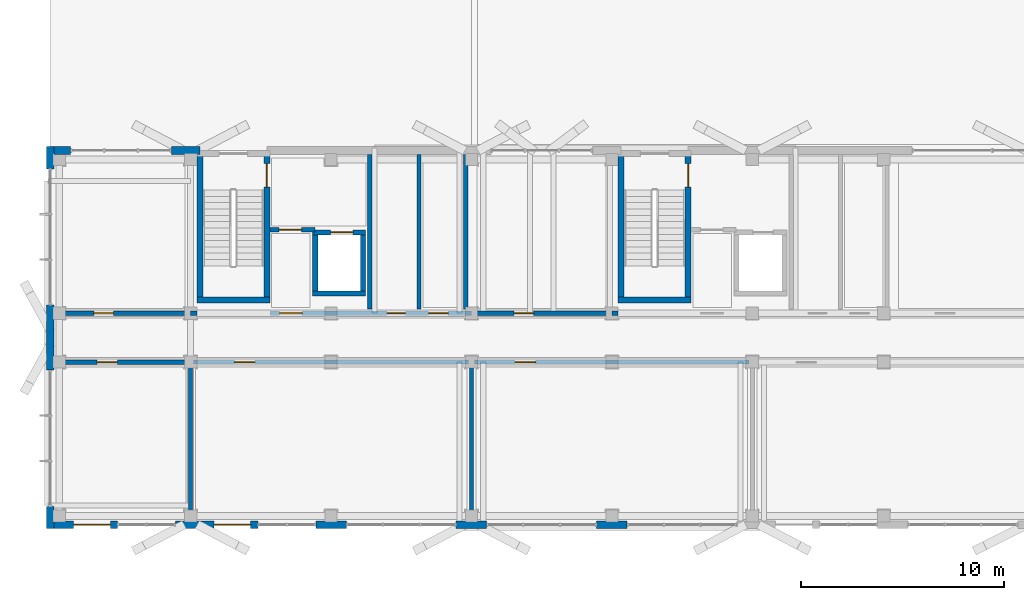
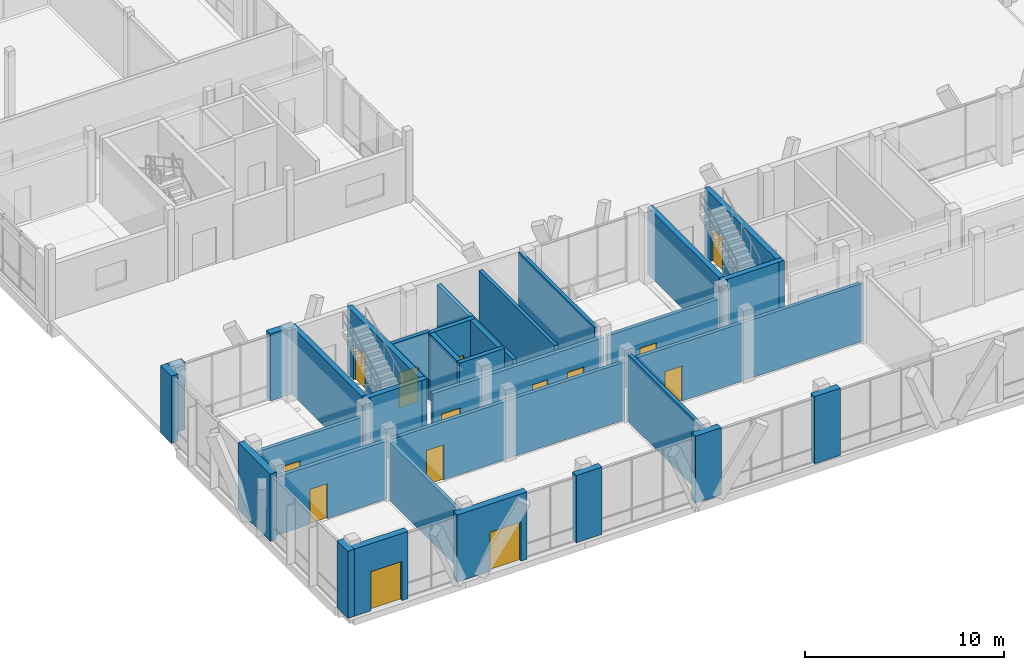
# One storey, part 190 of 233: 34 walls, 14 doors, 14 openings.
"""IFC4 building model written with IfcOpenShell, lengths in metres."""

import ifcopenshell
import ifcopenshell.guid

model = None  # the IFC model being written
_history = None  # IfcOwnerHistory: only IFC2X3 demands one
_inside = {}  # id of a spatial element -> (the spatial element, [elements in it])
_under = {}  # id of a project, library or spatial element -> (it, [spatial elements below it])
_declared = {}  # id of a project -> (the project, [libraries it declares])
_typed = {}  # id of a type object -> (the type object, [elements of that type])
_made_of = {}  # id of a material, layer set ... -> (it, [elements and type objects made of it])


def new_model(schema):
    """Start an empty IFC model of exactly this schema.

    Asked for "IFC4X3", IfcOpenShell would pick the latest addendum, in which some entities
    have other attributes; the version numbers below select the first issue.
    IFC2X3 requires an IfcOwnerHistory on every rooted entity: one is made here for all.
    """
    global model, _history
    if schema == "IFC4X3":
        model = ifcopenshell.file(schema_version=(4, 3, 0, 0))
    else:
        model = ifcopenshell.file(schema=schema)
    _inside.clear()
    _under.clear()
    _declared.clear()
    _typed.clear()
    _made_of.clear()
    _history = None
    if model.schema == "IFC2X3":
        org = make("IfcOrganization", Name="unknown")
        user = make(
            "IfcPersonAndOrganization",
            ThePerson=make("IfcPerson", FamilyName="unknown"),
            TheOrganization=org,
        )
        app = make(
            "IfcApplication",
            ApplicationDeveloper=org,
            Version="unknown",
            ApplicationFullName="unknown",
            ApplicationIdentifier="unknown",
        )
        _history = make(
            "IfcOwnerHistory",
            OwningUser=user,
            OwningApplication=app,
            ChangeAction="ADDED",
            CreationDate=0,
        )
    return model


def make(cls, **values):
    """One entity of the class cls with the attributes given. An attribute that is None is left unset."""
    return model.create_entity(
        cls, **{name: value for name, value in values.items() if value is not None}
    )


def rooted(cls, **values):
    """An entity with a GlobalId (a new one), such as an element, a storey or a relation."""
    return make(cls, GlobalId=ifcopenshell.guid.new(), OwnerHistory=_history, **values)


def si_unit(unit_type, name, prefix=None):
    """IfcSIUnit, for example si_unit("LENGTHUNIT", "METRE", prefix="MILLI")."""
    return make("IfcSIUnit", UnitType=unit_type, Prefix=prefix, Name=name)


def assignment(units):
    """IfcUnitAssignment: the units of a project."""
    return None if units is None else make("IfcUnitAssignment", Units=units)


def point(xyz):
    """IfcCartesianPoint."""
    return None if xyz is None else make("IfcCartesianPoint", Coordinates=xyz)


def direction(xyz):
    """IfcDirection."""
    return None if xyz is None else make("IfcDirection", DirectionRatios=xyz)


def frame(location, z_axis=None, x_axis=None):
    """IfcAxis2Placement3D, a coordinate frame: its origin and axes. An axis left out is left unset."""
    return make(
        "IfcAxis2Placement3D",
        Location=point(location),
        Axis=direction(z_axis),
        RefDirection=direction(x_axis),
    )


def frame_2d(location, x_axis=None):
    """IfcAxis2Placement2D, a coordinate frame in the plane: its origin and x axis."""
    return make(
        "IfcAxis2Placement2D", Location=point(location), RefDirection=direction(x_axis)
    )


def origin():
    """The frame at (0, 0, 0) with its axes left unset."""
    return frame((0.0, 0.0, 0.0))


def origin_with_axes():
    """The frame at (0, 0, 0) with the z axis (0, 0, 1) and the x axis (1, 0, 0) written out."""
    return frame((0.0, 0.0, 0.0), z_axis=(0.0, 0.0, 1.0), x_axis=(1.0, 0.0, 0.0))


def place(relative_to, where):
    """IfcLocalPlacement: puts the frame where relative to a parent placement (None: the world)."""
    return make(
        "IfcLocalPlacement", PlacementRelTo=relative_to, RelativePlacement=where
    )


def context(
    kind, dimensions, precision=None, world=None, true_north=None, identifier=None
):
    """IfcGeometricRepresentationContext, for example the 3D "Model" context."""
    return make(
        "IfcGeometricRepresentationContext",
        ContextIdentifier=identifier,
        ContextType=kind,
        CoordinateSpaceDimension=dimensions,
        Precision=precision,
        WorldCoordinateSystem=world,
        TrueNorth=true_north,
    )


def subcontext(parent, identifier, kind, view, scale=None):
    """IfcGeometricRepresentationSubContext, for example "Body" below "Model"."""
    return make(
        "IfcGeometricRepresentationSubContext",
        ContextIdentifier=identifier,
        ContextType=kind,
        ParentContext=parent,
        TargetScale=scale,
        TargetView=view,
    )


def project(units=None, contexts=None):
    """IfcProject with its units and contexts."""
    return rooted(
        "IfcProject",
        Name="project",
        RepresentationContexts=contexts,
        UnitsInContext=assignment(units),
    )


def spatial(cls, under=None, at=None, **own):
    """A site, building, storey or space (cls), placed at a placement, below another one or the project."""
    s = rooted(cls, ObjectPlacement=at, **own)
    if under is not None:
        _under.setdefault(under.id(), (under, []))[1].append(s)
    return s


def profile(cls, at=None, kind="AREA", **sizes):
    """A parametric profile (cls). Its sizes go by their IFC names, for example OverallWidth=200.0."""
    return make(cls, ProfileType=kind, Position=at, **sizes)


def rectangle(**sizes):
    """IfcRectangleProfileDef."""
    return profile("IfcRectangleProfileDef", **sizes)


def extrude(swept, where, along, depth):
    """IfcExtrudedAreaSolid: the profile swept, set in the frame where, extruded along a direction by depth."""
    return make(
        "IfcExtrudedAreaSolid",
        SweptArea=swept,
        Position=where,
        ExtrudedDirection=direction(along),
        Depth=depth,
    )


def shape(context_of_items, identifier, shape_type, items):
    """IfcShapeRepresentation: the items that make up one representation, for example the "Body"."""
    return make(
        "IfcShapeRepresentation",
        ContextOfItems=context_of_items,
        RepresentationIdentifier=identifier,
        RepresentationType=shape_type,
        Items=items,
    )


def material(Name=None, Category=None):
    """IfcMaterial."""
    return make("IfcMaterial", Name=Name, Category=Category)


def layer(
    of_material, thickness, ventilated=None, Name=None, Category=None, Priority=None
):
    """IfcMaterialLayer: one layer of a wall or slab, of a material (None: an air gap)."""
    return make(
        "IfcMaterialLayer",
        Material=of_material,
        LayerThickness=thickness,
        IsVentilated=ventilated,
        Name=Name,
        Category=Category,
        Priority=Priority,
    )


def layer_set(layers, Name=None):
    """IfcMaterialLayerSet."""
    return make("IfcMaterialLayerSet", MaterialLayers=layers, LayerSetName=Name)


def made_of(thing, what):
    """Note that an element or type object is made of a material, layer set ...; save() writes the relation."""
    if what is not None:
        _made_of.setdefault(what.id(), (what, []))[1].append(thing)
    return thing


def type_object(cls, material=None, **own):
    """A type object (cls), such as IfcWallType, which elements share."""
    return made_of(rooted(cls, **own), material)


def element(
    cls,
    number,
    at=None,
    inside=None,
    cuts=None,
    type_object=None,
    material=None,
    context=None,
    identifier="Body",
    shape_type=None,
    held_by="IfcProductDefinitionShape",
    body=None,
    shapes=None,
    **own,
):
    """One element of the class cls, such as IfcWall. Its Tag is "e" and its number.

    at: its placement. inside: the storey or other place that contains it. cuts: it is an
    opening in that element (IfcRelVoidsElement). A single representation is given by context,
    identifier, shape_type and body (its items); several are given by shapes. held_by: the class
    of the entity that holds the representations. save() writes the other relations.
    """
    e = rooted(cls, Tag="e%d" % number, ObjectPlacement=at, **own)
    if body is not None:
        shapes = [shape(context, identifier, shape_type, body)]
    if shapes is not None:
        e.Representation = make(held_by, Representations=shapes)
    if inside is not None:
        _inside.setdefault(inside.id(), (inside, []))[1].append(e)
    if cuts is not None:
        rooted(
            "IfcRelVoidsElement", RelatingBuildingElement=cuts, RelatedOpeningElement=e
        )
    if type_object is not None:
        _typed.setdefault(type_object.id(), (type_object, []))[1].append(e)
    return made_of(e, material)


def fill(opening, filler):
    """IfcRelFillsElement: the door or window that sits in an opening."""
    return rooted(
        "IfcRelFillsElement",
        RelatingOpeningElement=opening,
        RelatedBuildingElement=filler,
    )


def aggregate(whole, parts):
    """IfcRelAggregates: a whole, such as a stair, and the parts it consists of."""
    return rooted("IfcRelAggregates", RelatingObject=whole, RelatedObjects=parts)


def save(model, path):
    """Write the relations noted so far, then the file.

    IfcRelAggregates (storeys below a building ...), IfcRelContainedInSpatialStructure (elements
    in a storey), IfcRelDefinesByType, IfcRelAssociatesMaterial and IfcRelDeclares: one each for
    every whole, place, type object, material and project.
    """
    for whole, parts in _under.values():
        aggregate(whole, parts)
    for where, things in _inside.values():
        rooted(
            "IfcRelContainedInSpatialStructure",
            RelatedElements=things,
            RelatingStructure=where,
        )
    for kind, things in _typed.values():
        rooted("IfcRelDefinesByType", RelatedObjects=things, RelatingType=kind)
    for what, things in _made_of.values():
        rooted("IfcRelAssociatesMaterial", RelatedObjects=things, RelatingMaterial=what)
    for by, libraries in _declared.values():
        rooted("IfcRelDeclares", RelatingContext=by, RelatedDefinitions=libraries)
    model.write(path)


model = new_model("IFC4")

# Units and contexts
model_context = context("Model", 3, precision=1e-05, world=origin(), true_north=direction((0.0, 1.0)))
body_context = subcontext(model_context, "Body", "Model", "MODEL_VIEW")
ifc_project = project(units=[si_unit("LENGTHUNIT", "METRE"), si_unit("AREAUNIT", "SQUARE_METRE"), si_unit("VOLUMEUNIT", "CUBIC_METRE"), si_unit("PLANEANGLEUNIT", "RADIAN"), si_unit("MASSUNIT", "GRAM", prefix="KILO")], contexts=[model_context])

# Site, building, storey
site_placement = place(None, origin())
site = spatial("IfcSite", under=ifc_project, at=site_placement, CompositionType="ELEMENT")
building_placement = place(site_placement, origin())
building = spatial("IfcBuilding", under=site, at=building_placement, Name="Zavelmont Quarter", CompositionType="ELEMENT")
storey_placement = place(building_placement, origin())
storey = spatial("IfcBuildingStorey", under=building, at=storey_placement, Name="L00", CompositionType="ELEMENT", Elevation=0.0)

# Wall, opening, door
ifc_material_1 = material(Name="Natural Belgian limestone", Category="masonry")
ifc_layer_1 = layer(ifc_material_1, 0.3798828125)
ifc_layer_set_1 = layer_set([ifc_layer_1], Name="Natural Belgian limestone")
wall_type_1 = type_object("IfcWallType", Name="EW01", PredefinedType="STANDARD", material=ifc_layer_set_1)
wall_1_placement = place(storey_placement, frame((0.179931640625, 0.0, 0.0), z_axis=(0.0, 0.0, 1.0), x_axis=(1.0, 0.0, 0.0)))
wall_1 = element("IfcWall", 1, at=wall_1_placement, inside=storey, type_object=wall_type_1, Name="L00 exterior limestone wall EW01", PredefinedType="STANDARD", context=body_context, shape_type="SweptSolid", body=[
    extrude(rectangle(XDim=3.1201171875, YDim=0.3798828125, at=frame_2d((1.56005859375, 0.0))), origin(), (0.0, 0.0, 1.0), 4.1201171875),
])
opening_1_placement = place(wall_1_placement, frame((0.969970703125, 0.0, 0.0)))
opening_1 = element("IfcOpeningElement", 2, at=opening_1_placement, cuts=wall_1, Name="Opening DR01", PredefinedType="OPENING", context=body_context, shape_type="SweptSolid", body=[
    extrude(rectangle(XDim=1.800048828125, YDim=2.39990234375, at=frame_2d((0.89990234375, 1.199951171875))), frame((0.0, 0.201904296875, 0.0), z_axis=(0.0, -1.0, 0.0), x_axis=(1.0, 0.0, 0.0)), (0.0, 0.0, 1.0), 0.40380859375),
])
ifc_material_2 = material(Name="Powder-coated aluminium and tempered double safety glass", Category="aluminium")
door_type_1 = type_object("IfcDoorType", Name="DR01", OperationType="DOUBLE_DOOR_SINGLE_SWING", PredefinedType="DOOR", material=ifc_material_2)
door_1_placement = place(opening_1_placement, frame((1.800048828125, 0.0, 0.0), z_axis=(0.0, 0.0, 1.0), x_axis=(-1.0, 0.0, 0.0)))
door_1 = element("IfcDoor", 3, at=door_1_placement, inside=storey, type_object=door_type_1, Name="Block A street entrance final exit door", OperationType="DOUBLE_DOOR_SINGLE_SWING", OverallHeight=2.39990234375, OverallWidth=1.800048828125, PredefinedType="DOOR", context=body_context, shape_type="SweptSolid", body=[
    extrude(rectangle(XDim=1.800048828125, YDim=2.39990234375, at=frame_2d((0.89990234375, 1.199951171875))), frame((0.0, 0.02490234375, 0.0), z_axis=(0.0, -1.0, 0.0), x_axis=(1.0, 0.0, 0.0)), (0.0, 0.0, 1.0), 0.050048828125),
])
fill(opening_1, door_1)

wall_2_placement = place(storey_placement, frame((6.14990234375, 0.0, 0.0), z_axis=(0.0, 0.0, 1.0), x_axis=(1.0, 0.0, 0.0)))
wall_2 = element("IfcWall", 4, at=wall_2_placement, inside=storey, type_object=wall_type_1, Name="L00 exterior limestone wall EW01", PredefinedType="STANDARD", context=body_context, shape_type="SweptSolid", body=[
    extrude(rectangle(XDim=4.050048828125, YDim=0.3798828125, at=frame_2d((2.02490234375, 0.0))), origin(), (0.0, 0.0, 1.0), 4.1201171875),
])
opening_2_placement = place(wall_2_placement, frame((1.89990234375, 0.0, 0.0)))
opening_2 = element("IfcOpeningElement", 5, at=opening_2_placement, cuts=wall_2, Name="Opening DR01", PredefinedType="OPENING", context=body_context, shape_type="SweptSolid", body=[
    extrude(rectangle(XDim=1.800048828125, YDim=2.39990234375, at=frame_2d((0.89990234375, 1.199951171875))), frame((0.0, 0.201904296875, 0.0), z_axis=(0.0, -1.0, 0.0), x_axis=(1.0, 0.0, 0.0)), (0.0, 0.0, 1.0), 0.40380859375),
])
door_2_placement = place(opening_2_placement, frame((1.800048828125, 0.0, 0.0), z_axis=(0.0, 0.0, 1.0), x_axis=(-1.0, 0.0, 0.0)))
door_2 = element("IfcDoor", 6, at=door_2_placement, inside=storey, type_object=door_type_1, Name="Block A street entrance final exit door", OperationType="DOUBLE_DOOR_SINGLE_SWING", OverallHeight=2.39990234375, OverallWidth=1.800048828125, PredefinedType="DOOR", context=body_context, shape_type="SweptSolid", body=[
    extrude(rectangle(XDim=1.800048828125, YDim=2.39990234375, at=frame_2d((0.89990234375, 1.199951171875))), frame((0.0, 0.02490234375, 0.0), z_axis=(0.0, -1.0, 0.0), x_axis=(1.0, 0.0, 0.0)), (0.0, 0.0, 1.0), 0.050048828125),
])
fill(opening_2, door_2)

# Walls
for number, where, z_axis, x_axis, name in (
    (7, (13.050048828125, 0.0, 0.0), (0.0, 0.0, 1.0), (1.0, 0.0, 0.0), "L00 exterior limestone wall EW01"),
    (8, (19.949951171875, 0.0, 0.0), (0.0, 0.0, 1.0), (1.0, 0.0, 0.0), "L00 exterior limestone wall EW01"),
    (9, (26.85009765625, 0.0, 0.0), (0.0, 0.0, 1.0), (1.0, 0.0, 0.0), "L00 exterior limestone wall EW01"),
):
    element("IfcWall", number, at=place(storey_placement, frame(where, z_axis=z_axis, x_axis=x_axis)), inside=storey, type_object=wall_type_1, Name=name, PredefinedType="STANDARD", context=body_context, shape_type="SweptSolid", body=[
        extrude(rectangle(XDim=1.5, YDim=0.3798828125, at=frame_2d((0.75, 0.0))), origin(), (0.0, 0.0, 1.0), 4.1201171875),
    ])
wall_3_placement = place(storey_placement, frame((0.179931640625, 18.39990234375, 0.0), z_axis=(0.0, 0.0, 1.0), x_axis=(1.0, 0.0, 0.0)))
element("IfcWall", 10, at=wall_3_placement, inside=storey, type_object=wall_type_1, Name="L00 exterior limestone wall EW01", PredefinedType="STANDARD", context=body_context, shape_type="SweptSolid", body=[
    extrude(rectangle(XDim=0.820068359375, YDim=0.3798828125, at=frame_2d((0.41015625, 0.0))), origin(), (0.0, 0.0, 1.0), 4.1201171875),
])
wall_4_placement = place(storey_placement, frame((5.949951171875, 18.39990234375, 0.0), z_axis=(0.0, 0.0, 1.0), x_axis=(1.0, 0.0, 0.0)))
element("IfcWall", 11, at=wall_4_placement, inside=storey, type_object=wall_type_1, Name="L00 exterior limestone wall EW01", PredefinedType="STANDARD", context=body_context, shape_type="SweptSolid", body=[
    extrude(rectangle(XDim=1.400146484375, YDim=0.3798828125, at=frame_2d((0.7001953125, 0.0))), origin(), (0.0, 0.0, 1.0), 4.1201171875),
])
wall_5_placement = place(storey_placement, frame((0.0, -0.18994140625, 0.0), z_axis=(0.0, 0.0, 1.0), x_axis=(0.0, 1.0, 0.0)))
element("IfcWall", 12, at=wall_5_placement, inside=storey, type_object=wall_type_1, Name="L00 exterior limestone wall EW01", PredefinedType="STANDARD", context=body_context, shape_type="SweptSolid", body=[
    extrude(rectangle(XDim=1.08984375, YDim=0.3798828125, at=frame_2d((0.544921875, 0.0))), origin(), (0.0, 0.0, 1.0), 4.1201171875),
])
wall_6_placement = place(storey_placement, frame((0.0, 7.60009765625, 0.0), z_axis=(0.0, 0.0, 1.0), x_axis=(0.0, 1.0, 0.0)))
element("IfcWall", 13, at=wall_6_placement, inside=storey, type_object=wall_type_1, Name="L00 exterior limestone wall EW01", PredefinedType="STANDARD", context=body_context, shape_type="SweptSolid", body=[
    extrude(rectangle(XDim=3.199951171875, YDim=0.3798828125, at=frame_2d((1.60009765625, 0.0))), origin(), (0.0, 0.0, 1.0), 4.1201171875),
])
wall_7_placement = place(storey_placement, frame((0.0, 17.5, 0.0), z_axis=(0.0, 0.0, 1.0), x_axis=(0.0, 1.0, 0.0)))
element("IfcWall", 14, at=wall_7_placement, inside=storey, type_object=wall_type_1, Name="L00 exterior limestone wall EW01", PredefinedType="STANDARD", context=body_context, shape_type="SweptSolid", body=[
    extrude(rectangle(XDim=1.090087890625, YDim=0.3798828125, at=frame_2d((0.544921875, 0.0))), origin(), (0.0, 0.0, 1.0), 4.1201171875),
])
ifc_material_3 = material(Name="Calcium-silicate blockwork and acoustic plaster", Category="masonry")
ifc_layer_2 = layer(ifc_material_3, 0.199951171875)
ifc_layer_set_2 = layer_set([ifc_layer_2], Name="Calcium-silicate blockwork and acoustic plaster")
wall_type_2 = type_object("IfcWallType", Name="IW01", PredefinedType="PARTITIONING", material=ifc_layer_set_2)
wall_8_placement = place(storey_placement, frame((18.125, 10.60009765625, 0.0), z_axis=(0.0, 0.0, 1.0), x_axis=(0.0, 1.0, 0.0)))
element("IfcWall", 15, at=wall_8_placement, inside=storey, type_object=wall_type_2, Name="L00 Service riser divider wall IW01", PredefinedType="PARTITIONING", context=body_context, shape_type="SweptSolid", body=[
    extrude(rectangle(XDim=7.599853515625, YDim=0.199951171875, at=frame_2d((3.7998046875, 0.0))), origin(), (0.0, 0.0, 1.0), 3.7900390625),
])
wall_9_placement = place(storey_placement, frame((20.419921875, 10.60009765625, 0.0), z_axis=(0.0, 0.0, 1.0), x_axis=(0.0, 1.0, 0.0)))
element("IfcWall", 16, at=wall_9_placement, inside=storey, type_object=wall_type_2, Name="L00 Core service end wall IW01", PredefinedType="PARTITIONING", context=body_context, shape_type="SweptSolid", body=[
    extrude(rectangle(XDim=7.599853515625, YDim=0.199951171875, at=frame_2d((3.7998046875, 0.0))), origin(), (0.0, 0.0, 1.0), 4.1201171875),
])
wall_10_placement = place(storey_placement, frame((6.89990234375, 0.25, 0.0), z_axis=(0.0, 0.0, 1.0), x_axis=(0.0, 1.0, 0.0)))
element("IfcWall", 17, at=wall_10_placement, inside=storey, type_object=wall_type_2, Name="L00 Interior partition IW01", PredefinedType="PARTITIONING", context=body_context, shape_type="SweptSolid", body=[
    extrude(rectangle(XDim=7.60009765625, YDim=0.199951171875, at=frame_2d((3.800048828125, 0.0))), origin(), (0.0, 0.0, 1.0), 3.56005859375),
])

# Wall, opening, door
wall_11_placement = place(storey_placement, frame((7.050048828125, 8.0, 0.0), z_axis=(0.0, 0.0, 1.0), x_axis=(1.0, 0.0, 0.0)))
wall_11 = element("IfcWall", 18, at=wall_11_placement, inside=storey, type_object=wall_type_2, Name="L00 Block Entrance Foyer corridor wall IW01", PredefinedType="PARTITIONING", context=body_context, shape_type="SweptSolid", body=[
    extrude(rectangle(XDim=13.5, YDim=0.199951171875, at=frame_2d((6.75, 0.0))), origin(), (0.0, 0.0, 1.0), 3.56005859375),
])
opening_3_placement = place(wall_11_placement, frame((2.0, 0.0, 0.0)))
opening_3 = element("IfcOpeningElement", 19, at=opening_3_placement, cuts=wall_11, Name="Opening DR07", PredefinedType="OPENING", context=body_context, shape_type="SweptSolid", body=[
    extrude(rectangle(XDim=1.0, YDim=2.14990234375, at=frame_2d((0.5, 1.074951171875))), frame((0.0, 0.11181640625, 0.0), z_axis=(0.0, -1.0, 0.0), x_axis=(1.0, 0.0, 0.0)), (0.0, 0.0, 1.0), 0.223876953125),
])
ifc_material_4 = material(Name="Solid-core oak fire leaf in steel frame", Category="steel")
door_type_2 = type_object("IfcDoorType", Name="DR07", OperationType="NOTDEFINED", PredefinedType="DOOR", material=ifc_material_4)
door_3_placement = place(opening_3_placement, origin_with_axes())
door_3 = element("IfcDoor", 20, at=door_3_placement, inside=storey, type_object=door_type_2, Name="L00 door DR07", OperationType="SINGLE_SWING_RIGHT", OverallHeight=2.14990234375, OverallWidth=1.0, PredefinedType="DOOR", context=body_context, shape_type="SweptSolid", body=[
    extrude(rectangle(XDim=1.0, YDim=2.14990234375, at=frame_2d((0.5, 1.074951171875))), frame((0.0, 0.02490234375, 0.0), z_axis=(0.0, -1.0, 0.0), x_axis=(1.0, 0.0, 0.0)), (0.0, 0.0, 1.0), 0.050048828125),
])
fill(opening_3, door_3)

# Wall
wall_12_placement = place(storey_placement, frame((20.699951171875, 0.25, 0.0), z_axis=(0.0, 0.0, 1.0), x_axis=(0.0, 1.0, 0.0)))
element("IfcWall", 21, at=wall_12_placement, inside=storey, type_object=wall_type_2, Name="L00 Interior partition IW01", PredefinedType="PARTITIONING", context=body_context, shape_type="SweptSolid", body=[
    extrude(rectangle(XDim=7.60009765625, YDim=0.199951171875, at=frame_2d((3.800048828125, 0.0))), origin(), (0.0, 0.0, 1.0), 4.1201171875),
])

# Wall, opening, door
wall_13_placement = place(storey_placement, frame((20.85009765625, 8.0, 0.0), z_axis=(0.0, 0.0, 1.0), x_axis=(1.0, 0.0, 0.0)))
wall_13 = element("IfcWall", 22, at=wall_13_placement, inside=storey, type_object=wall_type_2, Name="L00 Residents Mail and Concierge corridor wall IW01", PredefinedType="PARTITIONING", context=body_context, shape_type="SweptSolid", body=[
    extrude(rectangle(XDim=13.5, YDim=0.199951171875, at=frame_2d((6.75, 0.0))), origin(), (0.0, 0.0, 1.0), 3.56005859375),
])
opening_4_placement = place(wall_13_placement, frame((2.0, 0.0, 0.0)))
opening_4 = element("IfcOpeningElement", 23, at=opening_4_placement, cuts=wall_13, Name="Opening DR07", PredefinedType="OPENING", context=body_context, shape_type="SweptSolid", body=[
    extrude(rectangle(XDim=1.0, YDim=2.14990234375, at=frame_2d((0.5, 1.074951171875))), frame((0.0, 0.11181640625, 0.0), z_axis=(0.0, -1.0, 0.0), x_axis=(1.0, 0.0, 0.0)), (0.0, 0.0, 1.0), 0.223876953125),
])
door_4_placement = place(opening_4_placement, frame((1.0, 0.0, 0.0), z_axis=(0.0, 0.0, 1.0), x_axis=(-1.0, 0.0, 0.0)))
door_4 = element("IfcDoor", 24, at=door_4_placement, inside=storey, type_object=door_type_2, Name="L00 door DR07", OperationType="SINGLE_SWING_LEFT", OverallHeight=2.14990234375, OverallWidth=1.0, PredefinedType="DOOR", context=body_context, shape_type="SweptSolid", body=[
    extrude(rectangle(XDim=1.0, YDim=2.14990234375, at=frame_2d((0.5, 1.074951171875))), frame((0.0, 0.02490234375, 0.0), z_axis=(0.0, -1.0, 0.0), x_axis=(1.0, 0.0, 0.0)), (0.0, 0.0, 1.0), 0.050048828125),
])
fill(opening_4, door_4)

wall_14_placement = place(storey_placement, frame((0.25, 10.39990234375, 0.0), z_axis=(0.0, 0.0, 1.0), x_axis=(1.0, 0.0, 0.0)))
wall_14 = element("IfcWall", 25, at=wall_14_placement, inside=storey, type_object=wall_type_2, Name="L00 Interior partition IW01", PredefinedType="PARTITIONING", context=body_context, shape_type="SweptSolid", body=[
    extrude(rectangle(XDim=6.449951171875, YDim=0.199951171875, at=frame_2d((3.22509765625, 0.0))), origin(), (0.0, 0.0, 1.0), 3.56005859375),
])
opening_5_placement = place(wall_14_placement, frame((1.89990234375, 0.0, 0.0)))
opening_5 = element("IfcOpeningElement", 26, at=opening_5_placement, cuts=wall_14, Name="Opening DR02", PredefinedType="OPENING", context=body_context, shape_type="SweptSolid", body=[
    extrude(rectangle(XDim=0.949951171875, YDim=2.14990234375, at=frame_2d((0.47509765625, 1.074951171875))), frame((0.0, 0.11181640625, 0.0), z_axis=(0.0, -1.0, 0.0), x_axis=(1.0, 0.0, 0.0)), (0.0, 0.0, 1.0), 0.223876953125),
])
door_type_3 = type_object("IfcDoorType", Name="DR02", OperationType="NOTDEFINED", PredefinedType="DOOR", material=ifc_material_4)
door_5_placement = place(opening_5_placement, origin_with_axes())
door_5 = element("IfcDoor", 27, at=door_5_placement, inside=storey, type_object=door_type_3, Name="L00 door DR02", OperationType="SINGLE_SWING_LEFT", OverallHeight=2.14990234375, OverallWidth=0.949951171875, PredefinedType="DOOR", context=body_context, shape_type="SweptSolid", body=[
    extrude(rectangle(XDim=0.949951171875, YDim=2.14990234375, at=frame_2d((0.47509765625, 1.074951171875))), frame((0.0, 0.02490234375, 0.0), z_axis=(0.0, -1.0, 0.0), x_axis=(1.0, 0.0, 0.0)), (0.0, 0.0, 1.0), 0.050048828125),
])
fill(opening_5, door_5)

wall_15_placement = place(storey_placement, frame((20.89990234375, 10.39990234375, 0.0), z_axis=(0.0, 0.0, 1.0), x_axis=(1.0, 0.0, 0.0)))
wall_15 = element("IfcWall", 28, at=wall_15_placement, inside=storey, type_object=wall_type_2, Name="L00 Interior partition IW01", PredefinedType="PARTITIONING", context=body_context, shape_type="SweptSolid", body=[
    extrude(rectangle(XDim=6.5, YDim=0.199951171875, at=frame_2d((3.25, 0.0))), origin(), (0.0, 0.0, 1.0), 3.56005859375),
])
opening_6_placement = place(wall_15_placement, frame((1.89990234375, 0.0, 0.0)))
opening_6 = element("IfcOpeningElement", 29, at=opening_6_placement, cuts=wall_15, Name="Opening DR02", PredefinedType="OPENING", context=body_context, shape_type="SweptSolid", body=[
    extrude(rectangle(XDim=0.949951171875, YDim=2.14990234375, at=frame_2d((0.47509765625, 1.074951171875))), frame((0.0, 0.11181640625, 0.0), z_axis=(0.0, -1.0, 0.0), x_axis=(1.0, 0.0, 0.0)), (0.0, 0.0, 1.0), 0.223876953125),
])
door_6_placement = place(opening_6_placement, frame((0.949951171875, 0.0, 0.0), z_axis=(0.0, 0.0, 1.0), x_axis=(-1.0, 0.0, 0.0)))
door_6 = element("IfcDoor", 30, at=door_6_placement, inside=storey, type_object=door_type_3, Name="L00 door DR02", OperationType="SINGLE_SWING_LEFT", OverallHeight=2.14990234375, OverallWidth=0.949951171875, PredefinedType="DOOR", context=body_context, shape_type="SweptSolid", body=[
    extrude(rectangle(XDim=0.949951171875, YDim=2.14990234375, at=frame_2d((0.47509765625, 1.074951171875))), frame((0.0, 0.02490234375, 0.0), z_axis=(0.0, -1.0, 0.0), x_axis=(1.0, 0.0, 0.0)), (0.0, 0.0, 1.0), 0.050048828125),
])
fill(opening_6, door_6)

# Wall
ifc_material_5 = material(Name="Reinforced masonry fire compartment wall", Category="masonry")
ifc_layer_3 = layer(ifc_material_5, 0.22509765625)
ifc_layer_set_3 = layer_set([ifc_layer_3], Name="Reinforced masonry fire compartment wall")
wall_type_3 = type_object("IfcWallType", Name="IW02", PredefinedType="PARTITIONING", material=ifc_layer_set_3)
wall_16_placement = place(storey_placement, frame((15.7099609375, 10.60009765625, 0.0), z_axis=(0.0, 0.0, 1.0), x_axis=(0.0, 1.0, 0.0)))
element("IfcWall", 31, at=wall_16_placement, inside=storey, type_object=wall_type_3, Name="L00 Firefighting lobby enclosure wall IW02", PredefinedType="PARTITIONING", context=body_context, shape_type="SweptSolid", body=[
    extrude(rectangle(XDim=7.599853515625, YDim=0.22509765625, at=frame_2d((3.7998046875, 0.0))), origin(), (0.0, 0.0, 1.0), 3.7900390625),
])

# Wall, opening, door
wall_17_placement = place(storey_placement, frame((10.800048828125, 14.5, 0.0), z_axis=(0.0, 0.0, 1.0), x_axis=(1.0, 0.0, 0.0)))
wall_17 = element("IfcWall", 32, at=wall_17_placement, inside=storey, type_object=wall_type_3, Name="L00 Firefighting lobby threshold wall IW02", PredefinedType="PARTITIONING", context=body_context, shape_type="SweptSolid", body=[
    extrude(rectangle(XDim=2.199951171875, YDim=0.22509765625, at=frame_2d((1.10009765625, 0.0))), origin(), (0.0, 0.0, 1.0), 4.1201171875),
])
opening_7_placement = place(wall_17_placement, frame((0.449951171875, 0.0, 0.0)))
opening_7 = element("IfcOpeningElement", 33, at=opening_7_placement, cuts=wall_17, Name="Opening DR10", PredefinedType="OPENING", context=body_context, shape_type="SweptSolid", body=[
    extrude(rectangle(XDim=1.10009765625, YDim=2.14990234375, at=frame_2d((0.550048828125, 1.074951171875))), frame((0.0, 0.12451171875, 0.0), z_axis=(0.0, -1.0, 0.0), x_axis=(1.0, 0.0, 0.0)), (0.0, 0.0, 1.0), 0.2490234375),
])
ifc_material_6 = material(Name="Painted steel lobby fire door", Category="steel")
door_type_4 = type_object("IfcDoorType", Name="DR10", OperationType="NOTDEFINED", PredefinedType="DOOR", material=ifc_material_6)
door_7_placement = place(opening_7_placement, origin_with_axes())
door_7 = element("IfcDoor", 34, at=door_7_placement, inside=storey, type_object=door_type_4, Name="Firefighting lobby fire door", OperationType="SINGLE_SWING_RIGHT", OverallHeight=2.14990234375, OverallWidth=1.10009765625, PredefinedType="DOOR", context=body_context, shape_type="SweptSolid", body=[
    extrude(rectangle(XDim=1.10009765625, YDim=2.14990234375, at=frame_2d((0.550048828125, 1.074951171875))), frame((0.0, 0.02490234375, 0.0), z_axis=(0.0, -1.0, 0.0), x_axis=(1.0, 0.0, 0.0)), (0.0, 0.0, 1.0), 0.050048828125),
])
fill(opening_7, door_7)

# Wall
wall_18_placement = place(storey_placement, frame((6.89990234375, 10.39990234375, 0.0), z_axis=(0.0, 0.0, 1.0), x_axis=(1.0, 0.0, 0.0)))
element("IfcWall", 35, at=wall_18_placement, inside=storey, type_object=wall_type_3, Name="L00 Core corridor wall IW02", PredefinedType="PARTITIONING", context=body_context, shape_type="SweptSolid", body=[
    extrude(rectangle(XDim=0.300048828125, YDim=0.22509765625, at=frame_2d((0.14990234375, 0.0))), origin(), (0.0, 0.0, 1.0), 4.1201171875),
])

# Wall, openings, doors
wall_19_placement = place(storey_placement, frame((10.800048828125, 10.39990234375, 0.0), z_axis=(0.0, 0.0, 1.0), x_axis=(1.0, 0.0, 0.0)))
wall_19 = element("IfcWall", 36, at=wall_19_placement, inside=storey, type_object=wall_type_3, Name="L00 Core corridor fire wall IW02", PredefinedType="PARTITIONING", context=body_context, shape_type="SweptSolid", body=[
    extrude(rectangle(XDim=9.89990234375, YDim=0.22509765625, at=frame_2d((4.949951171875, 0.0))), origin(), (0.0, 0.0, 1.0), 3.56005859375),
])
opening_8_placement = place(wall_19_placement, frame((0.47509765625, 0.0, 0.0)))
opening_8 = element("IfcOpeningElement", 37, at=opening_8_placement, cuts=wall_19, Name="Opening DR10", PredefinedType="OPENING", context=body_context, shape_type="SweptSolid", body=[
    extrude(rectangle(XDim=1.10009765625, YDim=2.14990234375, at=frame_2d((0.550048828125, 1.074951171875))), frame((0.0, 0.12451171875, 0.0), z_axis=(0.0, -1.0, 0.0), x_axis=(1.0, 0.0, 0.0)), (0.0, 0.0, 1.0), 0.2490234375),
])
opening_9_placement = place(wall_19_placement, frame((5.75, 0.0, 0.0)))
opening_9 = element("IfcOpeningElement", 38, at=opening_9_placement, cuts=wall_19, Name="Opening DR11", PredefinedType="OPENING", context=body_context, shape_type="SweptSolid", body=[
    extrude(rectangle(XDim=0.89990234375, YDim=2.10009765625, at=frame_2d((0.449951171875, 1.050048828125))), frame((0.0, 0.12451171875, 0.0), z_axis=(0.0, -1.0, 0.0), x_axis=(1.0, 0.0, 0.0)), (0.0, 0.0, 1.0), 0.2490234375),
])
opening_10_placement = place(wall_19_placement, frame((7.800048828125, 0.0, 0.0)))
opening_10 = element("IfcOpeningElement", 39, at=opening_10_placement, cuts=wall_19, Name="Opening DR02", PredefinedType="OPENING", context=body_context, shape_type="SweptSolid", body=[
    extrude(rectangle(XDim=0.949951171875, YDim=2.14990234375, at=frame_2d((0.47509765625, 1.074951171875))), frame((0.0, 0.12451171875, 0.0), z_axis=(0.0, -1.0, 0.0), x_axis=(1.0, 0.0, 0.0)), (0.0, 0.0, 1.0), 0.2490234375),
])
door_8_placement = place(opening_10_placement, frame((0.949951171875, 0.0, 0.0), z_axis=(0.0, 0.0, 1.0), x_axis=(-1.0, 0.0, 0.0)))
door_8 = element("IfcDoor", 40, at=door_8_placement, inside=storey, type_object=door_type_3, Name="Auxiliary store corridor door", OperationType="SINGLE_SWING_RIGHT", OverallHeight=2.14990234375, OverallWidth=0.949951171875, PredefinedType="DOOR", context=body_context, shape_type="SweptSolid", body=[
    extrude(rectangle(XDim=0.949951171875, YDim=2.14990234375, at=frame_2d((0.47509765625, 1.074951171875))), frame((0.0, 0.02490234375, 0.0), z_axis=(0.0, -1.0, 0.0), x_axis=(1.0, 0.0, 0.0)), (0.0, 0.0, 1.0), 0.050048828125),
])
fill(opening_10, door_8)
door_9_placement = place(opening_8_placement, origin_with_axes())
door_9 = element("IfcDoor", 41, at=door_9_placement, inside=storey, type_object=door_type_4, Name="Core vestibule fire door", OperationType="SINGLE_SWING_LEFT", OverallHeight=2.14990234375, OverallWidth=1.10009765625, PredefinedType="DOOR", context=body_context, shape_type="SweptSolid", body=[
    extrude(rectangle(XDim=1.10009765625, YDim=2.14990234375, at=frame_2d((0.550048828125, 1.074951171875))), frame((0.0, 0.02490234375, 0.0), z_axis=(0.0, -1.0, 0.0), x_axis=(1.0, 0.0, 0.0)), (0.0, 0.0, 1.0), 0.050048828125),
])
fill(opening_8, door_9)
ifc_material_7 = material(Name="Painted steel service-riser fire door", Category="steel")
door_type_5 = type_object("IfcDoorType", Name="DR11", OperationType="NOTDEFINED", PredefinedType="DOOR", material=ifc_material_7)
door_10_placement = place(opening_9_placement, frame((0.89990234375, 0.0, 0.0), z_axis=(0.0, 0.0, 1.0), x_axis=(-1.0, 0.0, 0.0)))
door_10 = element("IfcDoor", 42, at=door_10_placement, inside=storey, type_object=door_type_5, Name="Service riser fire door", OperationType="SINGLE_SWING_LEFT", OverallHeight=2.10009765625, OverallWidth=0.89990234375, PredefinedType="DOOR", context=body_context, shape_type="SweptSolid", body=[
    extrude(rectangle(XDim=0.89990234375, YDim=2.10009765625, at=frame_2d((0.449951171875, 1.050048828125))), frame((0.0, 0.02490234375, 0.0), z_axis=(0.0, -1.0, 0.0), x_axis=(1.0, 0.0, 0.0)), (0.0, 0.0, 1.0), 0.050048828125),
])
fill(opening_9, door_10)

# Wall
wall_20_placement = place(storey_placement, frame((27.60009765625, 10.39990234375, 0.0), z_axis=(0.0, 0.0, 1.0), x_axis=(1.0, 0.0, 0.0)))
element("IfcWall", 43, at=wall_20_placement, inside=storey, type_object=wall_type_3, Name="L00 Core corridor wall IW02", PredefinedType="PARTITIONING", context=body_context, shape_type="SweptSolid", body=[
    extrude(rectangle(XDim=0.2998046875, YDim=0.22509765625, at=frame_2d((0.14990234375, 0.0))), origin(), (0.0, 0.0, 1.0), 4.1201171875),
])

# Wall, opening, door
wall_21_placement = place(storey_placement, frame((0.300048828125, 8.0, 0.0), z_axis=(0.0, 0.0, 1.0), x_axis=(1.0, 0.0, 0.0)))
wall_21 = element("IfcWall", 44, at=wall_21_placement, inside=storey, type_object=wall_type_3, Name="L00 Fire Control Room corridor wall IW02", PredefinedType="PARTITIONING", context=body_context, shape_type="SweptSolid", body=[
    extrude(rectangle(XDim=6.449951171875, YDim=0.22509765625, at=frame_2d((3.22509765625, 0.0))), origin(), (0.0, 0.0, 1.0), 3.56005859375),
])
opening_11_placement = place(wall_21_placement, frame((2.0, 0.0, 0.0)))
opening_11 = element("IfcOpeningElement", 45, at=opening_11_placement, cuts=wall_21, Name="Opening DR08", PredefinedType="OPENING", context=body_context, shape_type="SweptSolid", body=[
    extrude(rectangle(XDim=1.0, YDim=2.14990234375, at=frame_2d((0.5, 1.074951171875))), frame((0.0, 0.12451171875, 0.0), z_axis=(0.0, -1.0, 0.0), x_axis=(1.0, 0.0, 0.0)), (0.0, 0.0, 1.0), 0.2490234375),
])
ifc_material_8 = material(Name="Painted steel fire door", Category="steel")
door_type_6 = type_object("IfcDoorType", Name="DR08", OperationType="NOTDEFINED", PredefinedType="DOOR", material=ifc_material_8)
door_11_placement = place(opening_11_placement, frame((1.0, 0.0, 0.0), z_axis=(0.0, 0.0, 1.0), x_axis=(-1.0, 0.0, 0.0)))
door_11 = element("IfcDoor", 46, at=door_11_placement, inside=storey, type_object=door_type_6, Name="L00 door DR08", OperationType="SINGLE_SWING_LEFT", OverallHeight=2.14990234375, OverallWidth=1.0, PredefinedType="DOOR", context=body_context, shape_type="SweptSolid", body=[
    extrude(rectangle(XDim=1.0, YDim=2.14990234375, at=frame_2d((0.5, 1.074951171875))), frame((0.0, 0.02490234375, 0.0), z_axis=(0.0, -1.0, 0.0), x_axis=(1.0, 0.0, 0.0)), (0.0, 0.0, 1.0), 0.050048828125),
])
fill(opening_11, door_11)

# Walls
ifc_material_9 = material(Name="Concrete C40/50", Category="concrete")
ifc_layer_4 = layer(ifc_material_9, 0.300048828125)
ifc_layer_set_4 = layer_set([ifc_layer_4], Name="Concrete C40/50")
wall_type_4 = type_object("IfcWallType", Name="SW01", PredefinedType="SHEAR", material=ifc_layer_set_4)
wall_22_placement = place(storey_placement, frame((7.199951171875, 11.050048828125, 0.0), z_axis=(0.0, 0.0, 1.0), x_axis=(1.0, 0.0, 0.0)))
element("IfcWall", 47, at=wall_22_placement, inside=storey, type_object=wall_type_4, Name="L00 ST01 corridor shear wall SW01", PredefinedType="SHEAR", context=body_context, shape_type="SweptSolid", body=[
    extrude(rectangle(XDim=3.60009765625, YDim=0.300048828125, at=frame_2d((1.800048828125, 0.0))), origin(), (0.0, 0.0, 1.0), 4.1201171875),
])
wall_23_placement = place(storey_placement, frame((7.35009765625, 10.89990234375, 0.0), z_axis=(0.0, 0.0, 1.0), x_axis=(0.0, 1.0, 0.0)))
element("IfcWall", 48, at=wall_23_placement, inside=storey, type_object=wall_type_4, Name="L00 ST01 west shear wall SW01", PredefinedType="SHEAR", context=body_context, shape_type="SweptSolid", body=[
    extrude(rectangle(XDim=7.5, YDim=0.300048828125, at=frame_2d((3.75, 0.0))), origin(), (0.0, 0.0, 1.0), 4.1201171875),
])

# Wall, opening, door
wall_24_placement = place(storey_placement, frame((10.64990234375, 10.89990234375, 0.0), z_axis=(0.0, 0.0, 1.0), x_axis=(0.0, 1.0, 0.0)))
wall_24 = element("IfcWall", 49, at=wall_24_placement, inside=storey, type_object=wall_type_4, Name="L00 ST01 lobby shear wall SW01", PredefinedType="SHEAR", context=body_context, shape_type="SweptSolid", body=[
    extrude(rectangle(XDim=7.5, YDim=0.300048828125, at=frame_2d((3.75, 0.0))), origin(), (0.0, 0.0, 1.0), 4.1201171875),
])
opening_12_placement = place(wall_24_placement, frame((5.699951171875, 0.0, 0.0)))
opening_12 = element("IfcOpeningElement", 50, at=opening_12_placement, cuts=wall_24, Name="Opening DR09", PredefinedType="OPENING", context=body_context, shape_type="SweptSolid", body=[
    extrude(rectangle(XDim=1.14990234375, YDim=2.14990234375, at=frame_2d((0.574951171875, 1.074951171875))), frame((0.0, 0.162109375, 0.0), z_axis=(0.0, -1.0, 0.0), x_axis=(1.0, 0.0, 0.0)), (0.0, 0.0, 1.0), 0.323974609375),
])
ifc_material_10 = material(Name="Painted steel stair-core fire door", Category="steel")
door_type_7 = type_object("IfcDoorType", Name="DR09", OperationType="NOTDEFINED", PredefinedType="DOOR", material=ifc_material_10)
door_12_placement = place(opening_12_placement, origin_with_axes())
door_12 = element("IfcDoor", 51, at=door_12_placement, inside=storey, type_object=door_type_7, Name="ST01 protected stair door", OperationType="SINGLE_SWING_LEFT", OverallHeight=2.14990234375, OverallWidth=1.14990234375, PredefinedType="DOOR", context=body_context, shape_type="SweptSolid", body=[
    extrude(rectangle(XDim=1.14990234375, YDim=2.14990234375, at=frame_2d((0.574951171875, 1.074951171875))), frame((0.0, 0.02490234375, 0.0), z_axis=(0.0, -1.0, 0.0), x_axis=(1.0, 0.0, 0.0)), (0.0, 0.0, 1.0), 0.050048828125),
])
fill(opening_12, door_12)

# Walls
wall_25_placement = place(storey_placement, frame((27.89990234375, 11.050048828125, 0.0), z_axis=(0.0, 0.0, 1.0), x_axis=(1.0, 0.0, 0.0)))
element("IfcWall", 52, at=wall_25_placement, inside=storey, type_object=wall_type_4, Name="L00 ST02 corridor shear wall SW01", PredefinedType="SHEAR", context=body_context, shape_type="SweptSolid", body=[
    extrude(rectangle(XDim=3.60009765625, YDim=0.300048828125, at=frame_2d((1.800048828125, 0.0))), origin(), (0.0, 0.0, 1.0), 4.1201171875),
])
wall_26_placement = place(storey_placement, frame((28.050048828125, 10.89990234375, 0.0), z_axis=(0.0, 0.0, 1.0), x_axis=(0.0, 1.0, 0.0)))
element("IfcWall", 53, at=wall_26_placement, inside=storey, type_object=wall_type_4, Name="L00 ST02 west shear wall SW01", PredefinedType="SHEAR", context=body_context, shape_type="SweptSolid", body=[
    extrude(rectangle(XDim=7.5, YDim=0.300048828125, at=frame_2d((3.75, 0.0))), origin(), (0.0, 0.0, 1.0), 4.1201171875),
])

# Wall, opening, door
wall_27_placement = place(storey_placement, frame((31.35009765625, 10.89990234375, 0.0), z_axis=(0.0, 0.0, 1.0), x_axis=(0.0, 1.0, 0.0)))
wall_27 = element("IfcWall", 54, at=wall_27_placement, inside=storey, type_object=wall_type_4, Name="L00 ST02 lobby shear wall SW01", PredefinedType="SHEAR", context=body_context, shape_type="SweptSolid", body=[
    extrude(rectangle(XDim=7.5, YDim=0.300048828125, at=frame_2d((3.75, 0.0))), origin(), (0.0, 0.0, 1.0), 4.1201171875),
])
opening_13_placement = place(wall_27_placement, frame((5.699951171875, 0.0, 0.0)))
opening_13 = element("IfcOpeningElement", 55, at=opening_13_placement, cuts=wall_27, Name="Opening DR09", PredefinedType="OPENING", context=body_context, shape_type="SweptSolid", body=[
    extrude(rectangle(XDim=1.14990234375, YDim=2.14990234375, at=frame_2d((0.574951171875, 1.074951171875))), frame((0.0, 0.162109375, 0.0), z_axis=(0.0, -1.0, 0.0), x_axis=(1.0, 0.0, 0.0)), (0.0, 0.0, 1.0), 0.323974609375),
])
door_13_placement = place(opening_13_placement, origin_with_axes())
door_13 = element("IfcDoor", 56, at=door_13_placement, inside=storey, type_object=door_type_7, Name="ST02 protected stair door", OperationType="SINGLE_SWING_LEFT", OverallHeight=2.14990234375, OverallWidth=1.14990234375, PredefinedType="DOOR", context=body_context, shape_type="SweptSolid", body=[
    extrude(rectangle(XDim=1.14990234375, YDim=2.14990234375, at=frame_2d((0.574951171875, 1.074951171875))), frame((0.0, 0.02490234375, 0.0), z_axis=(0.0, -1.0, 0.0), x_axis=(1.0, 0.0, 0.0)), (0.0, 0.0, 1.0), 0.050048828125),
])
fill(opening_13, door_13)

ifc_layer_5 = layer(ifc_material_9, 0.25)
ifc_layer_set_5 = layer_set([ifc_layer_5], Name="Concrete C40/50")
wall_type_5 = type_object("IfcWallType", Name="SW02", PredefinedType="SHEAR", material=ifc_layer_set_5)
wall_28_placement = place(storey_placement, frame((12.89990234375, 14.375, 0.0), z_axis=(0.0, 0.0, 1.0), x_axis=(1.0, 0.0, 0.0)))
wall_28 = element("IfcWall", 57, at=wall_28_placement, inside=storey, type_object=wall_type_5, Name="L00 Lift FL01 landing shaft wall SW02", PredefinedType="SHEAR", context=body_context, shape_type="SweptSolid", body=[
    extrude(rectangle(XDim=2.60009765625, YDim=0.25, at=frame_2d((1.300048828125, 0.0))), origin(), (0.0, 0.0, 1.0), 4.1201171875),
])
opening_14_placement = place(wall_28_placement, frame((0.875, 0.0, 0.0)))
opening_14 = element("IfcOpeningElement", 58, at=opening_14_placement, cuts=wall_28, Name="Opening LD02", PredefinedType="OPENING", context=body_context, shape_type="SweptSolid", body=[
    extrude(rectangle(XDim=1.10009765625, YDim=2.10009765625, at=frame_2d((0.550048828125, 1.050048828125))), frame((0.0, 0.136962890625, 0.0), z_axis=(0.0, -1.0, 0.0), x_axis=(1.0, 0.0, 0.0)), (0.0, 0.0, 1.0), 0.27392578125),
])
ifc_material_11 = material(Name="Brushed stainless-steel firefighting lift landing door", Category="steel")
door_type_8 = type_object("IfcDoorType", Name="LD02", OperationType="SLIDING_TO_LEFT", PredefinedType="DOOR", material=ifc_material_11)
door_14_placement = place(opening_14_placement, origin_with_axes())
door_14 = element("IfcDoor", 59, at=door_14_placement, inside=storey, type_object=door_type_8, Name="Lift FL01 sliding landing door", OperationType="SLIDING_TO_LEFT", OverallHeight=2.10009765625, OverallWidth=1.10009765625, PredefinedType="DOOR", context=body_context, shape_type="SweptSolid", body=[
    extrude(rectangle(XDim=1.10009765625, YDim=2.10009765625, at=frame_2d((0.550048828125, 1.050048828125))), frame((0.0, 0.02490234375, 0.0), z_axis=(0.0, -1.0, 0.0), x_axis=(1.0, 0.0, 0.0)), (0.0, 0.0, 1.0), 0.050048828125),
])
fill(opening_14, door_14)

# Walls
wall_29_placement = place(storey_placement, frame((12.89990234375, 11.375, 0.0), z_axis=(0.0, 0.0, 1.0), x_axis=(1.0, 0.0, 0.0)))
element("IfcWall", 60, at=wall_29_placement, inside=storey, type_object=wall_type_5, Name="L00 Lift FL01 back shaft wall SW02", PredefinedType="SHEAR", context=body_context, shape_type="SweptSolid", body=[
    extrude(rectangle(XDim=2.60009765625, YDim=0.25, at=frame_2d((1.300048828125, 0.0))), origin(), (0.0, 0.0, 1.0), 4.1201171875),
])
for number, where, z_axis, x_axis, name in (
    (61, (13.02490234375, 11.25, 0.0), (0.0, 0.0, 1.0), (0.0, 1.0, 0.0), "L00 Lift FL01 west shaft wall SW02"),
    (62, (15.375, 11.25, 0.0), (0.0, 0.0, 1.0), (0.0, 1.0, 0.0), "L00 Lift FL01 east shaft wall SW02"),
):
    element("IfcWall", number, at=place(storey_placement, frame(where, z_axis=z_axis, x_axis=x_axis)), inside=storey, type_object=wall_type_5, Name=name, PredefinedType="SHEAR", context=body_context, shape_type="SweptSolid", body=[
        extrude(rectangle(XDim=3.25, YDim=0.25, at=frame_2d((1.625, 0.0))), origin(), (0.0, 0.0, 1.0), 4.1201171875),
    ])

save(model, "model.ifc")
